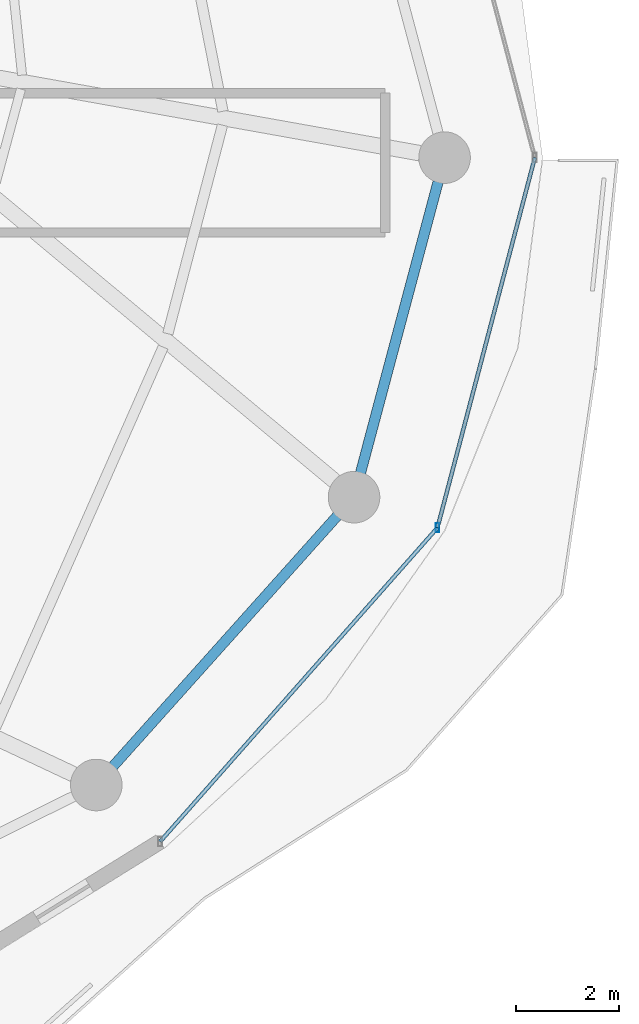
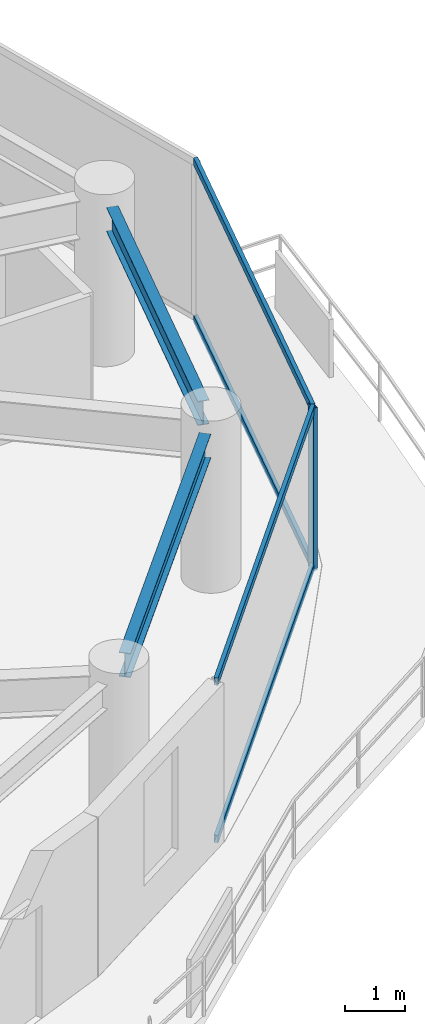
# One storey, part 13 of 29: 5 members, 2 beams, 1 element without a shape of its own.
"""IFC4 building model written with IfcOpenShell, lengths in metres."""

from ifc_helpers import new_model, si_unit, direction, frame, origin, origin_2d, place, context, subcontext, project, spatial, hollow_rectangle, i_section, extrude, material, material_profile, profile_set, type_object, element, aggregate, save


model = new_model("IFC4")

# Units and contexts
model_context = context("Model", 3, precision=1e-05, world=origin(), true_north=direction((0.0, 1.0)))
body_context = subcontext(model_context, "Body", "Model", "MODEL_VIEW")
ifc_project = project(units=[si_unit("LENGTHUNIT", "METRE"), si_unit("AREAUNIT", "SQUARE_METRE"), si_unit("VOLUMEUNIT", "CUBIC_METRE"), si_unit("PLANEANGLEUNIT", "RADIAN"), si_unit("MASSUNIT", "GRAM", prefix="KILO")], contexts=[model_context])

# Site, building, storey
site_placement = place(None, origin())
site = spatial("IfcSite", under=ifc_project, at=site_placement, CompositionType="ELEMENT")
building_placement = place(site_placement, origin())
building = spatial("IfcBuilding", under=site, at=building_placement, Name="Vorneva Point Tower", CompositionType="ELEMENT")
storey_placement = place(building_placement, frame((0.0, 0.0, 167.60009765625)))
storey = spatial("IfcBuildingStorey", under=building, at=storey_placement, Name="L45", CompositionType="ELEMENT", Elevation=167.60009765625)

# Beams
ifc_material_1 = material(Name="Steel S355", Category="steel")
ifc_material_profile_1 = material_profile(ifc_material_1, i_section(OverallWidth=0.199951171875, OverallDepth=0.491943359375, WebThickness=0.0087890625, FlangeThickness=0.011962890625, at=origin_2d()), Name="50B1")
ifc_profile_set_1 = profile_set([ifc_material_profile_1], Name="Steel S355")
beam_type = type_object("IfcBeamType", Name="BM-SPN-50B1", PredefinedType="SPANDREL", material=ifc_profile_set_1)
beam_1_placement = place(storey_placement, frame((54.622314453125, 14.19921875, 2.993896484375), z_axis=(0.667111118975, 0.74495822362, 0.0), x_axis=(-0.74495822362, 0.667111118975, 0.0)))
element("IfcBeam", 1, at=beam_1_placement, inside=storey, type_object=beam_type, Name="L45 Perimeter Spandrel Ring Beam 15", PredefinedType="SPANDREL", context=body_context, shape_type="SweptSolid", body=[
    extrude(i_section(OverallWidth=0.199951171875, OverallDepth=0.491943359375, WebThickness=0.0087890625, FlangeThickness=0.011962890625, at=origin_2d()), origin(), (0.0, 0.0, 1.0), 6.52001953125),
])
beam_2_placement = place(storey_placement, frame((59.42041015625, 19.886474609375, 2.993896484375), z_axis=(0.257550804648, 0.966264758245, 0.0), x_axis=(-0.966264758245, 0.257550804648, 0.0)))
element("IfcBeam", 2, at=beam_2_placement, inside=storey, type_object=beam_type, Name="L45 Perimeter Spandrel Ring Beam 16", PredefinedType="SPANDREL", context=body_context, shape_type="SweptSolid", body=[
    extrude(i_section(OverallWidth=0.199951171875, OverallDepth=0.491943359375, WebThickness=0.0087890625, FlangeThickness=0.011962890625, at=origin_2d()), origin(), (0.0, 0.0, 1.0), 5.842041015625),
])

# Curtain wall, members
ifc_material_2 = material(Name="Pale anodised aluminium", Category="aluminium")
curtain_wall_type = type_object("IfcCurtainWallType", Name="CW-RES-SYS", PredefinedType="NOTDEFINED", material=ifc_material_2)
curtain_wall_placement = place(storey_placement, origin())
curtain_wall = element("IfcCurtainWall", 3, at=curtain_wall_placement, inside=storey, type_object=curtain_wall_type, Name="L45 Unitised Curtain Wall CW-L45-R01", PredefinedType="NOTDEFINED")
ifc_material_profile_2 = material_profile(ifc_material_2, hollow_rectangle(XDim=0.074951171875, YDim=0.179931640625, WallThickness=0.00390625, at=origin_2d()), Name="AL-MUL 180x75x4")
ifc_profile_set_2 = profile_set([ifc_material_profile_2], Name="Pale anodised aluminium")
member_type_1 = type_object("IfcMemberType", Name="CW-MUL-180", PredefinedType="MULLION", material=ifc_profile_set_2)
member_1_placement = place(storey_placement, frame((60.912109375, 18.82470703125, -0.0400390625), z_axis=(0.0, 0.0, 1.0), x_axis=(1.0, 0.0, 0.0)))
member_1 = element("IfcMember", 4, at=member_1_placement, type_object=member_type_1, Name="CW-L45-R01 Mullion 02", PredefinedType="MULLION", context=body_context, shape_type="SweptSolid", body=[
    extrude(hollow_rectangle(XDim=0.074951171875, YDim=0.179931640625, WallThickness=0.00390625, at=origin_2d()), origin(), (0.0, 0.0, 1.0), 3.31005859375),
])
ifc_material_profile_3 = material_profile(ifc_material_2, hollow_rectangle(XDim=0.074951171875, YDim=0.14990234375, WallThickness=0.00390625, at=origin_2d()), Name="AL-TRN 150x75x4")
ifc_profile_set_3 = profile_set([ifc_material_profile_3], Name="Pale anodised aluminium")
member_type_2 = type_object("IfcMemberType", Name="CW-TRN-150", PredefinedType="USERDEFINED", material=ifc_profile_set_3)
member_2_placement = place(storey_placement, frame((55.5361328125, 12.74169921875, 0.02001953125), z_axis=(0.662218216609, 0.749311039283, 0.0), x_axis=(-0.749311039283, 0.662218216609, 0.0)))
member_2 = element("IfcMember", 5, at=member_2_placement, type_object=member_type_2, Name="CW-L45-R01 Transom 01.1", ObjectType="TRANSOM", PredefinedType="USERDEFINED", context=body_context, shape_type="SweptSolid", body=[
    extrude(hollow_rectangle(XDim=0.074951171875, YDim=0.14990234375, WallThickness=0.00390625, at=origin_2d()), origin(), (0.0, 0.0, 1.0), 8.1181640625),
])
member_3_placement = place(storey_placement, frame((55.5361328125, 12.74169921875, 3.219970703125), z_axis=(0.662218216609, 0.749311039283, 0.0), x_axis=(-0.749311039283, 0.662218216609, 0.0)))
member_3 = element("IfcMember", 6, at=member_3_placement, type_object=member_type_2, Name="CW-L45-R01 Transom 01.2", ObjectType="TRANSOM", PredefinedType="USERDEFINED", context=body_context, shape_type="SweptSolid", body=[
    extrude(hollow_rectangle(XDim=0.074951171875, YDim=0.14990234375, WallThickness=0.00390625, at=origin_2d()), origin(), (0.0, 0.0, 1.0), 8.1181640625),
])
member_4_placement = place(storey_placement, frame((60.912109375, 18.82470703125, 0.02001953125), z_axis=(0.254456046293, 0.967084339913, 0.0), x_axis=(-0.967084339913, 0.254456046293, 0.0)))
member_4 = element("IfcMember", 7, at=member_4_placement, type_object=member_type_2, Name="CW-L45-R01 Transom 02.1", ObjectType="TRANSOM", PredefinedType="USERDEFINED", context=body_context, shape_type="SweptSolid", body=[
    extrude(hollow_rectangle(XDim=0.074951171875, YDim=0.14990234375, WallThickness=0.00390625, at=origin_2d()), origin(), (0.0, 0.0, 1.0), 7.41943359375),
])
member_5_placement = place(storey_placement, frame((60.912109375, 18.82470703125, 3.219970703125), z_axis=(0.254456046293, 0.967084339913, 0.0), x_axis=(-0.967084339913, 0.254456046293, 0.0)))
member_5 = element("IfcMember", 8, at=member_5_placement, type_object=member_type_2, Name="CW-L45-R01 Transom 02.2", ObjectType="TRANSOM", PredefinedType="USERDEFINED", context=body_context, shape_type="SweptSolid", body=[
    extrude(hollow_rectangle(XDim=0.074951171875, YDim=0.14990234375, WallThickness=0.00390625, at=origin_2d()), origin(), (0.0, 0.0, 1.0), 7.41943359375),
])
aggregate(curtain_wall, [member_1, member_2, member_3, member_4, member_5])

save(model, "model.ifc")
